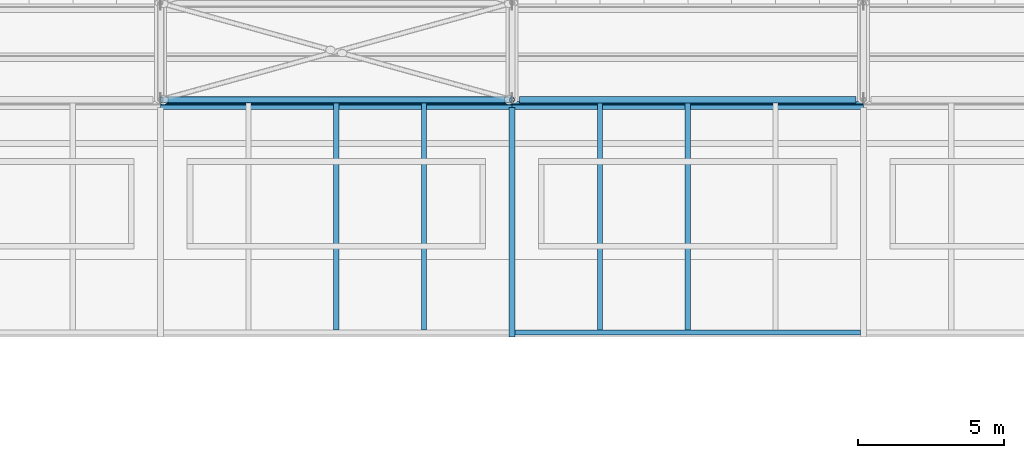
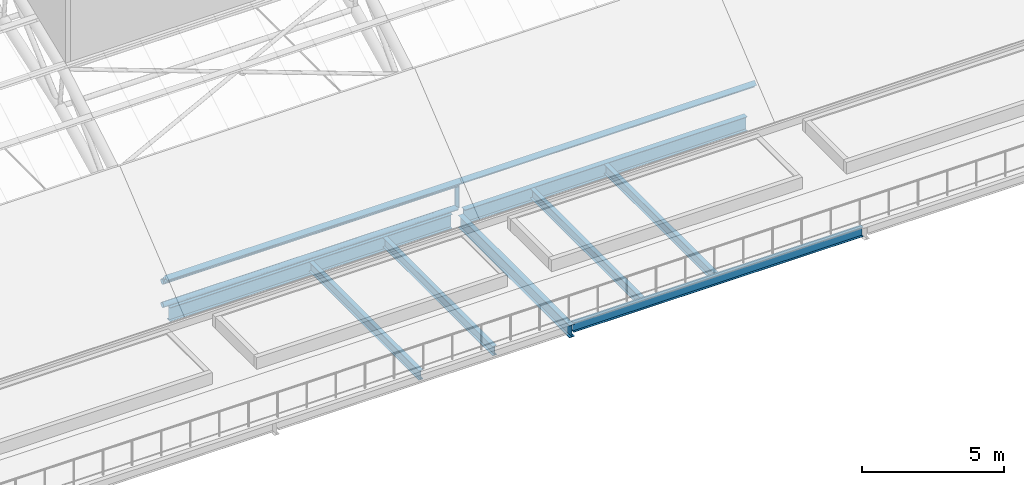
# One storey, part 5 of 110: 8 beams, 5 members.
"""IFC4 building model written with IfcOpenShell, lengths in metres."""

from ifc_helpers import new_model, si_unit, direction, frame, origin, origin_2d, place, context, subcontext, project, spatial, hollow_circle, i_section, extrude, material, material_profile, profile_set, type_object, element, save


model = new_model("IFC4")

# Units and contexts
model_context = context("Model", 3, precision=1e-05, world=origin(), true_north=direction((0.0, 1.0)))
body_context = subcontext(model_context, "Body", "Model", "MODEL_VIEW")
ifc_project = project(units=[si_unit("LENGTHUNIT", "METRE"), si_unit("AREAUNIT", "SQUARE_METRE"), si_unit("VOLUMEUNIT", "CUBIC_METRE"), si_unit("PLANEANGLEUNIT", "RADIAN"), si_unit("MASSUNIT", "GRAM", prefix="KILO")], contexts=[model_context])

# Site, building, storey
site_placement = place(None, origin())
site = spatial("IfcSite", under=ifc_project, at=site_placement, CompositionType="ELEMENT")
building_placement = place(site_placement, origin())
building = spatial("IfcBuilding", under=site, at=building_placement, Name="Windward Yard Aquatics Centre", CompositionType="ELEMENT")
storey_placement = place(building_placement, frame((0.0, 0.0, 22.60009765625)))
storey = spatial("IfcBuildingStorey", under=building, at=storey_placement, Name="L05", CompositionType="ELEMENT", Elevation=22.60009765625)

# Member
ifc_material_1 = material(Name="Steel ASTM A500 Gr C", Category="steel")
ifc_material_profile_1 = material_profile(ifc_material_1, hollow_circle(Radius=0.084228515625, WallThickness=0.010986328125, at=origin_2d()), Name="HSS168.3X11")
ifc_profile_set_1 = profile_set([ifc_material_profile_1], Name="Steel ASTM A500 Gr C")
member_type_1 = type_object("IfcMemberType", Name="H arch post HSS168.3X11", PredefinedType="POST", material=ifc_profile_set_1)
member_placement = place(storey_placement, frame((108.0, 41.60009765625, 0.0), z_axis=(0.0, 0.0, 1.0), x_axis=(1.0, 0.0, 0.0)))
element("IfcMember", 1, at=member_placement, inside=storey, type_object=member_type_1, Name="H.AT.5.WP01", PredefinedType="POST", context=body_context, shape_type="SweptSolid", body=[
    extrude(hollow_circle(Radius=0.084228515625, WallThickness=0.010986328125, at=origin_2d()), origin(), (0.0, 0.0, 1.0), 1.0),
])

# Beams
ifc_material_2 = material(Name="Steel ASTM A992 Gr 50", Category="steel")
ifc_material_profile_2 = material_profile(ifc_material_2, i_section(OverallWidth=0.22802734375, OverallDepth=0.60205078125, WebThickness=0.010498046875, FlangeThickness=0.014892578125, at=origin_2d()), Name="W610X101")
ifc_profile_set_2 = profile_set([ifc_material_profile_2], Name="Steel ASTM A992 Gr 50")
beam_type_1 = type_object("IfcBeamType", Name="H eave girder W610X101", PredefinedType="BEAM", material=ifc_profile_set_2)
for number, where, z_axis, x_axis, name in (
    (2, (96.25390625, 41.60009765625, -0.451171875), (1.0, 0.0, 0.0), (0.0, 1.0, 0.0), "H.EG.S4"),
    (3, (108.25390625, 41.60009765625, -0.451171875), (1.0, 0.0, 0.0), (0.0, 1.0, 0.0), "H.EG.S5"),
):
    element("IfcBeam", number, at=place(storey_placement, frame(where, z_axis=z_axis, x_axis=x_axis)), inside=storey, type_object=beam_type_1, Name=name, PredefinedType="BEAM", context=body_context, shape_type="SweptSolid", body=[
        extrude(i_section(OverallWidth=0.22802734375, OverallDepth=0.60205078125, WebThickness=0.010498046875, FlangeThickness=0.014892578125, at=origin_2d()), origin(), (0.0, 0.0, 1.0), 11.4921875),
    ])

# Members
ifc_material_profile_3 = material_profile(ifc_material_2, i_section(OverallWidth=0.202880859375, OverallDepth=0.202880859375, WebThickness=0.00732421875, FlangeThickness=0.010986328125, at=origin_2d()), Name="W200X46.1")
ifc_profile_set_3 = profile_set([ifc_material_profile_3], Name="Steel ASTM A992 Gr 50")
member_type_2 = type_object("IfcMemberType", Name="H roof purlin W200X46.1", PredefinedType="PURLIN", material=ifc_profile_set_3)
for number, where, z_axis, x_axis, name in (
    (4, (96.0, 41.406494140625, 1.2353515625), (1.0, 0.0, 0.0), (0.0, 0.772610863417, 0.634879873464), "H.PU.4.01"),
    (5, (108.0, 41.406494140625, 1.2353515625), (1.0, 0.0, 0.0), (0.0, 0.772610863417, 0.634879873464), "H.PU.5.01"),
):
    element("IfcMember", number, at=place(storey_placement, frame(where, z_axis=z_axis, x_axis=x_axis)), inside=storey, type_object=member_type_2, Name=name, PredefinedType="PURLIN", context=body_context, shape_type="SweptSolid", body=[
        extrude(i_section(OverallWidth=0.202880859375, OverallDepth=0.202880859375, WebThickness=0.00732421875, FlangeThickness=0.010986328125, at=origin_2d()), origin(), (0.0, 0.0, 1.0), 12.0),
    ])
ifc_material_profile_4 = material_profile(ifc_material_1, hollow_circle(Radius=0.109619140625, WallThickness=0.00830078125, at=origin_2d()), Name="HSS219.1X8.2")
ifc_profile_set_4 = profile_set([ifc_material_profile_4], Name="Steel ASTM A500 Gr C")
member_type_3 = type_object("IfcMemberType", Name="H roof strut HSS219.1X8.2", PredefinedType="STRUT", material=ifc_profile_set_4)
for number, where, z_axis, x_axis, name in (
    (6, (96.0, 41.60009765625, 1.0), (1.0, 0.0, 0.0), (0.0, 1.0, 0.0), "H.RS.4.T01"),
    (7, (96.0, 41.60009765625, 0.0), (1.0, 0.0, 0.0), (0.0, 1.0, 0.0), "H.RS.4.B01"),
):
    element("IfcMember", number, at=place(storey_placement, frame(where, z_axis=z_axis, x_axis=x_axis)), inside=storey, type_object=member_type_3, Name=name, PredefinedType="STRUT", context=body_context, shape_type="SweptSolid", body=[
        extrude(hollow_circle(Radius=0.109619140625, WallThickness=0.00830078125, at=origin_2d()), origin(), (0.0, 0.0, 1.0), 12.0),
    ])

# Beams
ifc_material_profile_5 = material_profile(ifc_material_2, i_section(OverallWidth=0.208984375, OverallDepth=0.528076171875, WebThickness=0.009521484375, FlangeThickness=0.01318359375, at=origin_2d()), Name="W530X82")
ifc_profile_set_5 = profile_set([ifc_material_profile_5], Name="Steel ASTM A992 Gr 50")
beam_type_2 = type_object("IfcBeamType", Name="H terrace primary beam W530X82", PredefinedType="BEAM", material=ifc_profile_set_5)
beam_1_placement = place(storey_placement, frame((108.0, 33.5, -0.4140625), z_axis=(0.0, 1.0, 0.0), x_axis=(-1.0, 0.0, 0.0)))
element("IfcBeam", 8, at=beam_1_placement, inside=storey, type_object=beam_type_2, Name="H.T2B.S5", PredefinedType="BEAM", context=body_context, shape_type="SweptSolid", body=[
    extrude(i_section(OverallWidth=0.208984375, OverallDepth=0.528076171875, WebThickness=0.009521484375, FlangeThickness=0.01318359375, at=origin_2d()), origin(), (0.0, 0.0, 1.0), 7.845947265625),
])
ifc_material_profile_6 = material_profile(ifc_material_2, i_section(OverallWidth=0.177978515625, OverallDepth=0.406005859375, WebThickness=0.0078125, FlangeThickness=0.0126953125, at=origin_2d()), Name="W410X60")
ifc_profile_set_6 = profile_set([ifc_material_profile_6], Name="Steel ASTM A992 Gr 50")
beam_type_3 = type_object("IfcBeamType", Name="H terrace secondary beam W410X60", PredefinedType="BEAM", material=ifc_profile_set_6)
for number, where, z_axis, x_axis, name in (
    (9, (102.0, 33.74658203125, -0.35302734375), (0.0, 1.0, 0.0), (-1.0, 0.0, 0.0), "H.T2S.S4.2"),
    (10, (105.0, 33.74658203125, -0.35302734375), (0.0, 1.0, 0.0), (-1.0, 0.0, 0.0), "H.T2S.S4.3"),
):
    element("IfcBeam", number, at=place(storey_placement, frame(where, z_axis=z_axis, x_axis=x_axis)), inside=storey, type_object=beam_type_3, Name=name, PredefinedType="BEAM", context=body_context, shape_type="SweptSolid", body=[
        extrude(i_section(OverallWidth=0.177978515625, OverallDepth=0.406005859375, WebThickness=0.0078125, FlangeThickness=0.0126953125, at=origin_2d()), origin(), (0.0, 0.0, 1.0), 7.739501953125),
    ])
beam_2_placement = place(storey_placement, frame((108.1044921875, 33.65771484375, -0.35302734375), z_axis=(1.0, 0.0, 0.0), x_axis=(0.0, 1.0, 0.0)))
element("IfcBeam", 11, at=beam_2_placement, inside=storey, type_object=beam_type_3, Name="H.T2E.S5", PredefinedType="BEAM", context=body_context, shape_type="SweptSolid", body=[
    extrude(i_section(OverallWidth=0.177978515625, OverallDepth=0.406005859375, WebThickness=0.0078125, FlangeThickness=0.0126953125, at=origin_2d()), origin(), (0.0, 0.0, 1.0), 11.791015625),
])
for number, where, z_axis, x_axis, name in (
    (12, (111.0, 33.74658203125, -0.35302734375), (0.0, 1.0, 0.0), (-1.0, 0.0, 0.0), "H.T2S.S5.1"),
    (13, (114.0, 33.74658203125, -0.35302734375), (0.0, 1.0, 0.0), (-1.0, 0.0, 0.0), "H.T2S.S5.2"),
):
    element("IfcBeam", number, at=place(storey_placement, frame(where, z_axis=z_axis, x_axis=x_axis)), inside=storey, type_object=beam_type_3, Name=name, PredefinedType="BEAM", context=body_context, shape_type="SweptSolid", body=[
        extrude(i_section(OverallWidth=0.177978515625, OverallDepth=0.406005859375, WebThickness=0.0078125, FlangeThickness=0.0126953125, at=origin_2d()), origin(), (0.0, 0.0, 1.0), 7.739501953125),
    ])

save(model, "model.ifc")
